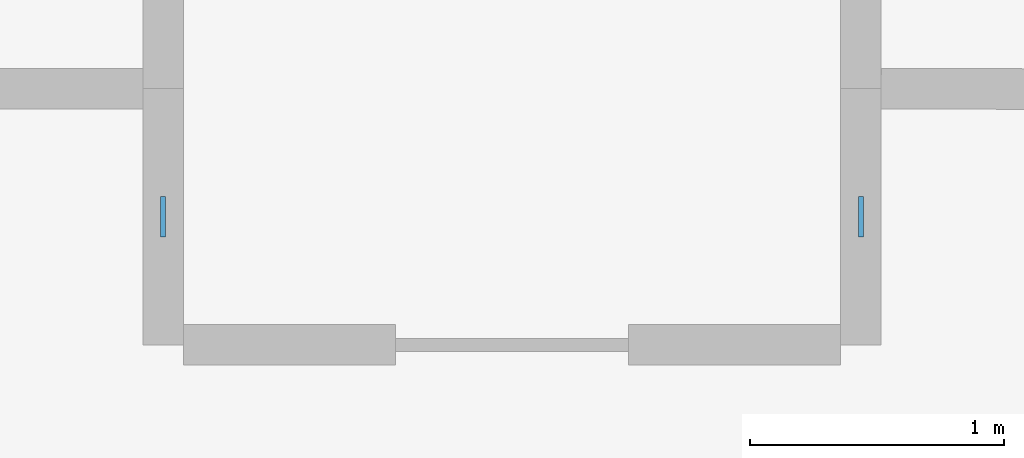
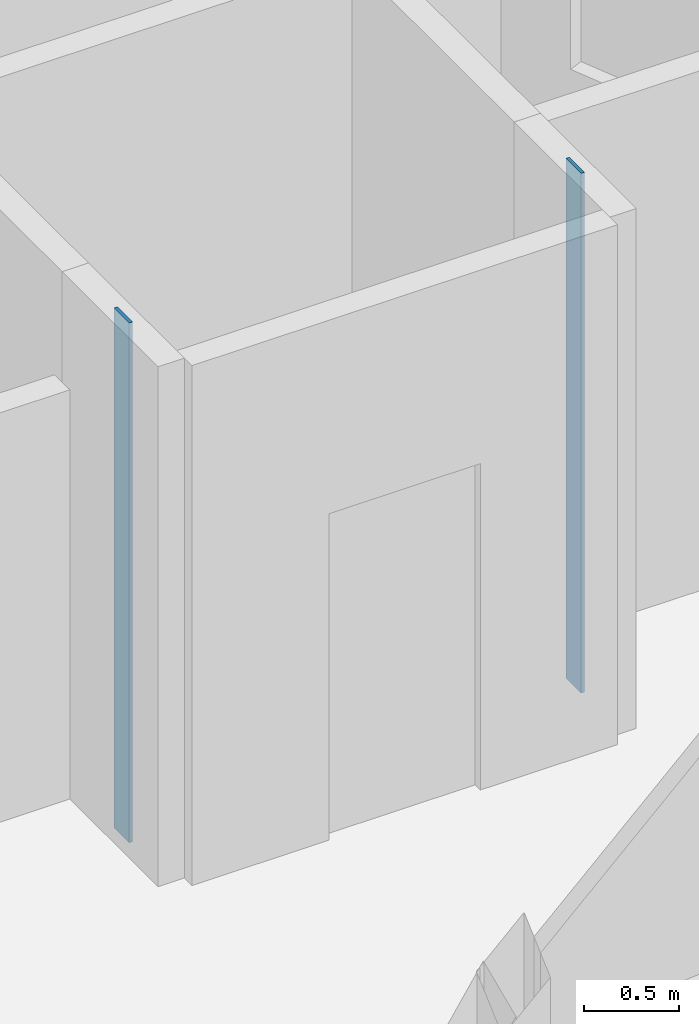
# One storey, part 6 of 12: 2 plates.
"""IFC4 building model written with IfcOpenShell, lengths in metres."""

from ifc_helpers import new_model, si_unit, direction, frame, origin, origin_2d, place, context, subcontext, project, spatial, rectangle, extrude, material, layer, layer_set, type_object, element, save


model = new_model("IFC4")

# Units and contexts
model_context = context("Model", 3, precision=1e-05, world=origin(), true_north=direction((0.0, 1.0)))
body_context = subcontext(model_context, "Body", "Model", "MODEL_VIEW")
ifc_project = project(units=[si_unit("LENGTHUNIT", "METRE"), si_unit("AREAUNIT", "SQUARE_METRE"), si_unit("VOLUMEUNIT", "CUBIC_METRE"), si_unit("PLANEANGLEUNIT", "RADIAN"), si_unit("MASSUNIT", "GRAM", prefix="KILO")], contexts=[model_context])

# Site, building, storey
site_placement = place(None, origin())
site = spatial("IfcSite", under=ifc_project, at=site_placement, CompositionType="ELEMENT")
building_placement = place(site_placement, origin())
building = spatial("IfcBuilding", under=site, at=building_placement, Name="Miruveldt Soraemaru", CompositionType="ELEMENT")
storey_placement = place(building_placement, frame((0.0, 0.0, 216.0)))
storey = spatial("IfcBuildingStorey", under=building, at=storey_placement, Name="L59", CompositionType="ELEMENT", Elevation=216.0)

# Plates
ifc_material = material(Name="Anodised aluminium EN AW-6063 T6", Category="aluminium")
ifc_layer = layer(ifc_material, 0.02001953125, Name="Anodised aluminium EN AW-6063 T6", Category="aluminium")
ifc_layer_set = layer_set([ifc_layer], Name="Anodised aluminium EN AW-6063 T6")
plate_type = type_object("IfcPlateType", Name="PLT-PART-TRIM", PredefinedType="SHEET", material=ifc_layer_set)
for number, where, z_axis, x_axis, name in (
    (1, (60.6298828125, 32.010986328125, 0.0), (0.0, 0.0, 1.0), (0.0, 1.0, 0.0), "L59 Partition Step Corner Trim Plate 035"),
    (2, (57.8798828125, 32.010986328125, 0.0), (0.0, 0.0, 1.0), (0.0, -1.0, 0.0), "L59 Partition Step Corner Trim Plate 036"),
):
    element("IfcPlate", number, at=place(storey_placement, frame(where, z_axis=z_axis, x_axis=x_axis)), inside=storey, type_object=plate_type, Name=name, PredefinedType="SHEET", context=body_context, shape_type="SweptSolid", body=[
        extrude(rectangle(XDim=0.159912109375, YDim=0.02001953125, at=origin_2d()), origin(), (0.0, 0.0, 1.0), 3.344970703125),
    ])

save(model, "model.ifc")
